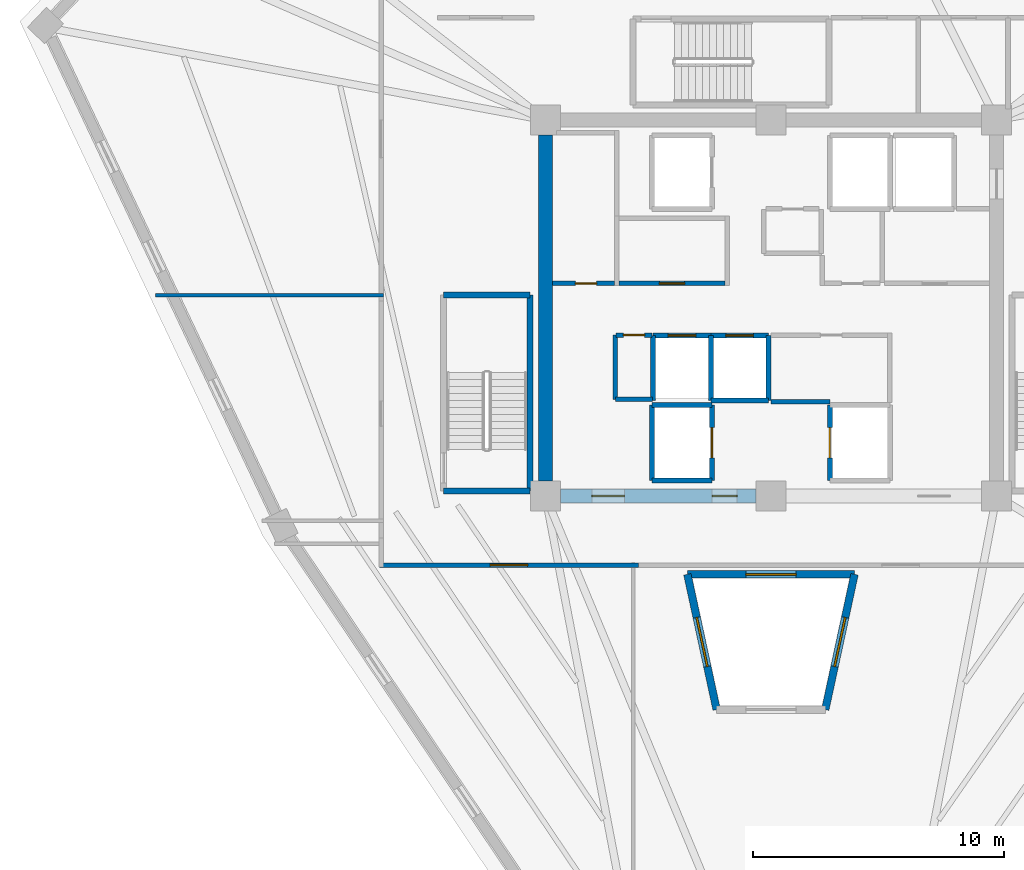
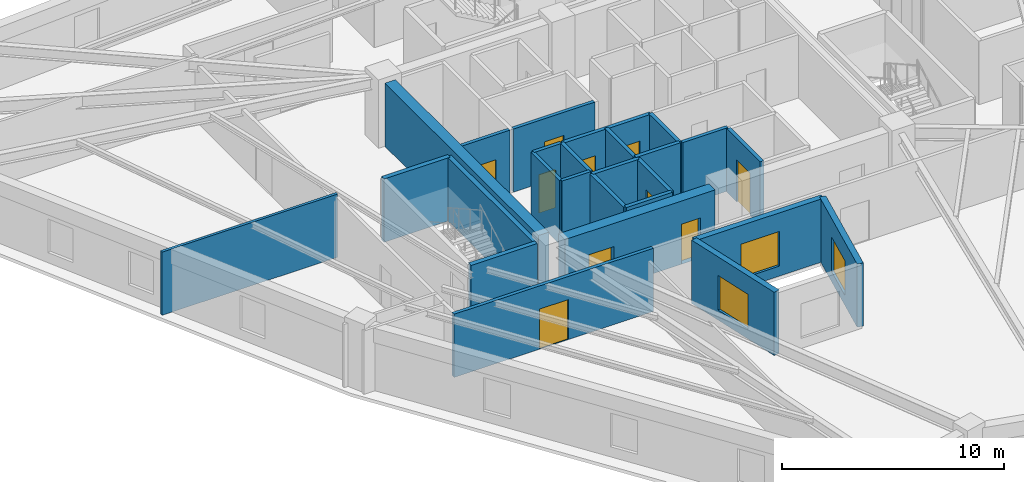
# One storey, part 3 of 8: 27 walls, 10 doors, 3 windows, 13 openings.
"""IFC4 building model written with IfcOpenShell, lengths in metres."""

import ifcopenshell
import ifcopenshell.guid

model = None  # the IFC model being written
_history = None  # IfcOwnerHistory: only IFC2X3 demands one
_inside = {}  # id of a spatial element -> (the spatial element, [elements in it])
_under = {}  # id of a project, library or spatial element -> (it, [spatial elements below it])
_declared = {}  # id of a project -> (the project, [libraries it declares])
_typed = {}  # id of a type object -> (the type object, [elements of that type])
_made_of = {}  # id of a material, layer set ... -> (it, [elements and type objects made of it])


def new_model(schema):
    """Start an empty IFC model of exactly this schema.

    Asked for "IFC4X3", IfcOpenShell would pick the latest addendum, in which some entities
    have other attributes; the version numbers below select the first issue.
    IFC2X3 requires an IfcOwnerHistory on every rooted entity: one is made here for all.
    """
    global model, _history
    if schema == "IFC4X3":
        model = ifcopenshell.file(schema_version=(4, 3, 0, 0))
    else:
        model = ifcopenshell.file(schema=schema)
    _inside.clear()
    _under.clear()
    _declared.clear()
    _typed.clear()
    _made_of.clear()
    _history = None
    if model.schema == "IFC2X3":
        org = make("IfcOrganization", Name="unknown")
        user = make(
            "IfcPersonAndOrganization",
            ThePerson=make("IfcPerson", FamilyName="unknown"),
            TheOrganization=org,
        )
        app = make(
            "IfcApplication",
            ApplicationDeveloper=org,
            Version="unknown",
            ApplicationFullName="unknown",
            ApplicationIdentifier="unknown",
        )
        _history = make(
            "IfcOwnerHistory",
            OwningUser=user,
            OwningApplication=app,
            ChangeAction="ADDED",
            CreationDate=0,
        )
    return model


def make(cls, **values):
    """One entity of the class cls with the attributes given. An attribute that is None is left unset."""
    return model.create_entity(
        cls, **{name: value for name, value in values.items() if value is not None}
    )


def rooted(cls, **values):
    """An entity with a GlobalId (a new one), such as an element, a storey or a relation."""
    return make(cls, GlobalId=ifcopenshell.guid.new(), OwnerHistory=_history, **values)


def si_unit(unit_type, name, prefix=None):
    """IfcSIUnit, for example si_unit("LENGTHUNIT", "METRE", prefix="MILLI")."""
    return make("IfcSIUnit", UnitType=unit_type, Prefix=prefix, Name=name)


def assignment(units):
    """IfcUnitAssignment: the units of a project."""
    return None if units is None else make("IfcUnitAssignment", Units=units)


def point(xyz):
    """IfcCartesianPoint."""
    return None if xyz is None else make("IfcCartesianPoint", Coordinates=xyz)


def direction(xyz):
    """IfcDirection."""
    return None if xyz is None else make("IfcDirection", DirectionRatios=xyz)


def frame(location, z_axis=None, x_axis=None):
    """IfcAxis2Placement3D, a coordinate frame: its origin and axes. An axis left out is left unset."""
    return make(
        "IfcAxis2Placement3D",
        Location=point(location),
        Axis=direction(z_axis),
        RefDirection=direction(x_axis),
    )


def frame_2d(location, x_axis=None):
    """IfcAxis2Placement2D, a coordinate frame in the plane: its origin and x axis."""
    return make(
        "IfcAxis2Placement2D", Location=point(location), RefDirection=direction(x_axis)
    )


def origin():
    """The frame at (0, 0, 0) with its axes left unset."""
    return frame((0.0, 0.0, 0.0))


def place(relative_to, where):
    """IfcLocalPlacement: puts the frame where relative to a parent placement (None: the world)."""
    return make(
        "IfcLocalPlacement", PlacementRelTo=relative_to, RelativePlacement=where
    )


def context(
    kind, dimensions, precision=None, world=None, true_north=None, identifier=None
):
    """IfcGeometricRepresentationContext, for example the 3D "Model" context."""
    return make(
        "IfcGeometricRepresentationContext",
        ContextIdentifier=identifier,
        ContextType=kind,
        CoordinateSpaceDimension=dimensions,
        Precision=precision,
        WorldCoordinateSystem=world,
        TrueNorth=true_north,
    )


def subcontext(parent, identifier, kind, view, scale=None):
    """IfcGeometricRepresentationSubContext, for example "Body" below "Model"."""
    return make(
        "IfcGeometricRepresentationSubContext",
        ContextIdentifier=identifier,
        ContextType=kind,
        ParentContext=parent,
        TargetScale=scale,
        TargetView=view,
    )


def project(units=None, contexts=None):
    """IfcProject with its units and contexts."""
    return rooted(
        "IfcProject",
        Name="project",
        RepresentationContexts=contexts,
        UnitsInContext=assignment(units),
    )


def spatial(cls, under=None, at=None, **own):
    """A site, building, storey or space (cls), placed at a placement, below another one or the project."""
    s = rooted(cls, ObjectPlacement=at, **own)
    if under is not None:
        _under.setdefault(under.id(), (under, []))[1].append(s)
    return s


def profile(cls, at=None, kind="AREA", **sizes):
    """A parametric profile (cls). Its sizes go by their IFC names, for example OverallWidth=200.0."""
    return make(cls, ProfileType=kind, Position=at, **sizes)


def rectangle(**sizes):
    """IfcRectangleProfileDef."""
    return profile("IfcRectangleProfileDef", **sizes)


def extrude(swept, where, along, depth):
    """IfcExtrudedAreaSolid: the profile swept, set in the frame where, extruded along a direction by depth."""
    return make(
        "IfcExtrudedAreaSolid",
        SweptArea=swept,
        Position=where,
        ExtrudedDirection=direction(along),
        Depth=depth,
    )


def shape(context_of_items, identifier, shape_type, items):
    """IfcShapeRepresentation: the items that make up one representation, for example the "Body"."""
    return make(
        "IfcShapeRepresentation",
        ContextOfItems=context_of_items,
        RepresentationIdentifier=identifier,
        RepresentationType=shape_type,
        Items=items,
    )


def source(mapping_origin, context_of_items, identifier, shape_type, items):
    """IfcRepresentationMap: a shape defined once, which mapped items show again and again."""
    return make(
        "IfcRepresentationMap",
        MappingOrigin=mapping_origin,
        MappedRepresentation=shape(context_of_items, identifier, shape_type, items),
    )


def transform(
    local_origin,
    x_axis=None,
    y_axis=None,
    z_axis=None,
    scale=None,
    scale2=None,
    scale3=None,
    uniform=True,
):
    """IfcCartesianTransformationOperator3D, or its non-uniform kind. x_axis, y_axis, z_axis: its Axis1, 2, 3."""
    if uniform:
        return make(
            "IfcCartesianTransformationOperator3D",
            Axis1=direction(x_axis),
            Axis2=direction(y_axis),
            LocalOrigin=point(local_origin),
            Scale=scale,
            Axis3=direction(z_axis),
        )
    return make(
        "IfcCartesianTransformationOperator3DnonUniform",
        Axis1=direction(x_axis),
        Axis2=direction(y_axis),
        LocalOrigin=point(local_origin),
        Scale=scale,
        Axis3=direction(z_axis),
        Scale2=scale2,
        Scale3=scale3,
    )


def mapped(mapping_source, mapping_target):
    """IfcMappedItem: shows the shape of a source again, moved by a transform."""
    return make(
        "IfcMappedItem", MappingSource=mapping_source, MappingTarget=mapping_target
    )


def material(Name=None, Category=None):
    """IfcMaterial."""
    return make("IfcMaterial", Name=Name, Category=Category)


def layer(
    of_material, thickness, ventilated=None, Name=None, Category=None, Priority=None
):
    """IfcMaterialLayer: one layer of a wall or slab, of a material (None: an air gap)."""
    return make(
        "IfcMaterialLayer",
        Material=of_material,
        LayerThickness=thickness,
        IsVentilated=ventilated,
        Name=Name,
        Category=Category,
        Priority=Priority,
    )


def layer_set(layers, Name=None):
    """IfcMaterialLayerSet."""
    return make("IfcMaterialLayerSet", MaterialLayers=layers, LayerSetName=Name)


def made_of(thing, what):
    """Note that an element or type object is made of a material, layer set ...; save() writes the relation."""
    if what is not None:
        _made_of.setdefault(what.id(), (what, []))[1].append(thing)
    return thing


def type_object(cls, material=None, **own):
    """A type object (cls), such as IfcWallType, which elements share."""
    return made_of(rooted(cls, **own), material)


def element(
    cls,
    number,
    at=None,
    inside=None,
    cuts=None,
    type_object=None,
    material=None,
    context=None,
    identifier="Body",
    shape_type=None,
    held_by="IfcProductDefinitionShape",
    body=None,
    shapes=None,
    **own,
):
    """One element of the class cls, such as IfcWall. Its Tag is "e" and its number.

    at: its placement. inside: the storey or other place that contains it. cuts: it is an
    opening in that element (IfcRelVoidsElement). A single representation is given by context,
    identifier, shape_type and body (its items); several are given by shapes. held_by: the class
    of the entity that holds the representations. save() writes the other relations.
    """
    e = rooted(cls, Tag="e%d" % number, ObjectPlacement=at, **own)
    if body is not None:
        shapes = [shape(context, identifier, shape_type, body)]
    if shapes is not None:
        e.Representation = make(held_by, Representations=shapes)
    if inside is not None:
        _inside.setdefault(inside.id(), (inside, []))[1].append(e)
    if cuts is not None:
        rooted(
            "IfcRelVoidsElement", RelatingBuildingElement=cuts, RelatedOpeningElement=e
        )
    if type_object is not None:
        _typed.setdefault(type_object.id(), (type_object, []))[1].append(e)
    return made_of(e, material)


def fill(opening, filler):
    """IfcRelFillsElement: the door or window that sits in an opening."""
    return rooted(
        "IfcRelFillsElement",
        RelatingOpeningElement=opening,
        RelatedBuildingElement=filler,
    )


def aggregate(whole, parts):
    """IfcRelAggregates: a whole, such as a stair, and the parts it consists of."""
    return rooted("IfcRelAggregates", RelatingObject=whole, RelatedObjects=parts)


def save(model, path):
    """Write the relations noted so far, then the file.

    IfcRelAggregates (storeys below a building ...), IfcRelContainedInSpatialStructure (elements
    in a storey), IfcRelDefinesByType, IfcRelAssociatesMaterial and IfcRelDeclares: one each for
    every whole, place, type object, material and project.
    """
    for whole, parts in _under.values():
        aggregate(whole, parts)
    for where, things in _inside.values():
        rooted(
            "IfcRelContainedInSpatialStructure",
            RelatedElements=things,
            RelatingStructure=where,
        )
    for kind, things in _typed.values():
        rooted("IfcRelDefinesByType", RelatedObjects=things, RelatingType=kind)
    for what, things in _made_of.values():
        rooted("IfcRelAssociatesMaterial", RelatedObjects=things, RelatingMaterial=what)
    for by, libraries in _declared.values():
        rooted("IfcRelDeclares", RelatingContext=by, RelatedDefinitions=libraries)
    model.write(path)


model = new_model("IFC4")

# Units and contexts
model_context = context("Model", 3, precision=1e-05, world=origin(), true_north=direction((0.0, 1.0)))
body_context = subcontext(model_context, "Body", "Model", "MODEL_VIEW")
ifc_project = project(units=[si_unit("LENGTHUNIT", "METRE"), si_unit("AREAUNIT", "SQUARE_METRE"), si_unit("VOLUMEUNIT", "CUBIC_METRE"), si_unit("PLANEANGLEUNIT", "RADIAN"), si_unit("MASSUNIT", "GRAM", prefix="KILO")], contexts=[model_context])

# Site, building, storey
site_placement = place(None, origin())
site = spatial("IfcSite", under=ifc_project, at=site_placement, CompositionType="ELEMENT")
building_placement = place(site_placement, origin())
building = spatial("IfcBuilding", under=site, at=building_placement, Name="Liaohun Quay Tower", CompositionType="ELEMENT")
storey_placement = place(building_placement, frame((0.0, 0.0, 347.25)))
storey = spatial("IfcBuildingStorey", under=building, at=storey_placement, Name="L90", CompositionType="ELEMENT", Elevation=347.25)

# Wall, opening, window
ifc_material_1 = material(Name="Concrete C50", Category="concrete")
ifc_layer_1 = layer(ifc_material_1, 0.300048828125, Name="Concrete C50", Category="concrete")
ifc_layer_set_1 = layer_set([ifc_layer_1], Name="Concrete C50")
wall_type_1 = type_object("IfcWallType", Name="WAL-ATR-300", PredefinedType="SOLIDWALL", material=ifc_layer_set_1)
wall_1_placement = place(storey_placement, frame((57.83203125, 37.970947265625, 0.0), z_axis=(0.0, 0.0, 1.0), x_axis=(-0.211433211418, 0.977392447848, 0.0)))
wall_1 = element("IfcWall", 1, at=wall_1_placement, inside=storey, type_object=wall_type_1, Name="L90 Atrium Fire Compartment Wall 1", PredefinedType="SOLIDWALL", context=body_context, shape_type="SweptSolid", body=[
    extrude(rectangle(XDim=5.524169921875, YDim=0.300048828125, at=frame_2d((2.76220703125, 0.0))), origin(), (0.0, 0.0, 1.0), 3.469970703125),
])
shared_shape_1 = source(origin(), body_context, "Body", "SweptSolid", [
    extrude(rectangle(XDim=2.0, YDim=1.89990234375, at=frame_2d((1.0, 0.949951171875))), frame((0.0, 0.159912109375, 0.0), z_axis=(0.0, -1.0, 0.0), x_axis=(1.0, 0.0, 0.0)), (0.0, 0.0, 1.0), 0.320068359375),
])
opening_1_placement = place(wall_1_placement, frame((1.761962890625, 0.0, 0.550048828125)))
opening_1 = element("IfcOpeningElement", 2, at=opening_1_placement, cuts=wall_1, Name="Opening W07", PredefinedType="OPENING", context=body_context, shape_type="MappedRepresentation", body=[
    mapped(shared_shape_1, transform((0.0, 0.0, 0.0), x_axis=(1.0, 0.0, 0.0), y_axis=(0.0, 1.0, 0.0), z_axis=(0.0, 0.0, 1.0), scale=1.0)),
])
ifc_material_2 = material(Name="Class A 180-min fire-resistant insulated glazing", Category="glass")
window_type = type_object("IfcWindowType", Name="WIN-ATR-FIR", PartitioningType="DOUBLE_PANEL_VERTICAL", PredefinedType="WINDOW", material=ifc_material_2)
shared_shape_2 = source(origin(), body_context, "Body", "SweptSolid", [
    extrude(rectangle(XDim=2.0, YDim=1.89990234375, at=frame_2d((1.0, 0.949951171875))), frame((0.0, 0.030029296875, 0.0), z_axis=(0.0, -1.0, 0.0), x_axis=(1.0, 0.0, 0.0)), (0.0, 0.0, 1.0), 0.06005859375),
])
window_1_placement = place(opening_1_placement, origin())
window_1 = element("IfcWindow", 3, at=window_1_placement, inside=storey, type_object=window_type, Name="L90 Atrium Fire-Resistant Glazing W07-1", OverallHeight=1.89990234375, OverallWidth=2.0, PartitioningType="DOUBLE_PANEL_VERTICAL", PredefinedType="WINDOW", context=body_context, shape_type="MappedRepresentation", body=[
    mapped(shared_shape_2, transform((0.0, 0.0, 0.0), x_axis=(1.0, 0.0, 0.0), y_axis=(0.0, 1.0, 0.0), z_axis=(0.0, 0.0, 1.0), scale=1.0)),
])
fill(opening_1, window_1)

wall_2_placement = place(storey_placement, frame((56.6640625, 43.3701171875, 0.0), z_axis=(0.0, 0.0, 1.0), x_axis=(1.0, 0.0, 0.0)))
wall_2 = element("IfcWall", 4, at=wall_2_placement, inside=storey, type_object=wall_type_1, Name="L90 Atrium Fire Compartment Wall 2", PredefinedType="SOLIDWALL", context=body_context, shape_type="SweptSolid", body=[
    extrude(rectangle(XDim=6.671875, YDim=0.300048828125, at=frame_2d((3.3359375, 0.0))), origin(), (0.0, 0.0, 1.0), 3.469970703125),
])
opening_2_placement = place(wall_2_placement, frame((2.3359375, 0.0, 0.550048828125)))
opening_2 = element("IfcOpeningElement", 5, at=opening_2_placement, cuts=wall_2, Name="Opening W07", PredefinedType="OPENING", context=body_context, shape_type="MappedRepresentation", body=[
    mapped(shared_shape_1, transform((0.0, 0.0, 0.0), x_axis=(1.0, 0.0, 0.0), y_axis=(0.0, 1.0, 0.0), z_axis=(0.0, 0.0, 1.0), scale=1.0)),
])
window_2_placement = place(opening_2_placement, origin())
window_2 = element("IfcWindow", 6, at=window_2_placement, inside=storey, type_object=window_type, Name="L90 Atrium Fire-Resistant Glazing W07-2", OverallHeight=1.89990234375, OverallWidth=2.0, PartitioningType="DOUBLE_PANEL_VERTICAL", PredefinedType="WINDOW", context=body_context, shape_type="MappedRepresentation", body=[
    mapped(shared_shape_2, transform((0.0, 0.0, 0.0), x_axis=(1.0, 0.0, 0.0), y_axis=(0.0, 1.0, 0.0), z_axis=(0.0, 0.0, 1.0), scale=1.0)),
])
fill(opening_2, window_2)

wall_3_placement = place(storey_placement, frame((63.3359375, 43.3701171875, 0.0), z_axis=(0.0, 0.0, 1.0), x_axis=(-0.211433211418, -0.977392447848, 0.0)))
wall_3 = element("IfcWall", 7, at=wall_3_placement, inside=storey, type_object=wall_type_1, Name="L90 Atrium Fire Compartment Wall 3", PredefinedType="SOLIDWALL", context=body_context, shape_type="SweptSolid", body=[
    extrude(rectangle(XDim=5.524169921875, YDim=0.300048828125, at=frame_2d((2.76220703125, 0.0))), origin(), (0.0, 0.0, 1.0), 3.469970703125),
])
opening_3_placement = place(wall_3_placement, frame((1.761962890625, 0.0, 0.550048828125)))
opening_3 = element("IfcOpeningElement", 8, at=opening_3_placement, cuts=wall_3, Name="Opening W07", PredefinedType="OPENING", context=body_context, shape_type="MappedRepresentation", body=[
    mapped(shared_shape_1, transform((0.0, 0.0, 0.0), x_axis=(1.0, 0.0, 0.0), y_axis=(0.0, 1.0, 0.0), z_axis=(0.0, 0.0, 1.0), scale=1.0)),
])
window_3_placement = place(opening_3_placement, origin())
window_3 = element("IfcWindow", 9, at=window_3_placement, inside=storey, type_object=window_type, Name="L90 Atrium Fire-Resistant Glazing W07-3", OverallHeight=1.89990234375, OverallWidth=2.0, PartitioningType="DOUBLE_PANEL_VERTICAL", PredefinedType="WINDOW", context=body_context, shape_type="MappedRepresentation", body=[
    mapped(shared_shape_2, transform((0.0, 0.0, 0.0), x_axis=(1.0, 0.0, 0.0), y_axis=(0.0, 1.0, 0.0), z_axis=(0.0, 0.0, 1.0), scale=1.0)),
])
fill(opening_3, window_3)

# Wall, openings, doors
ifc_layer_2 = layer(ifc_material_1, 0.550048828125, Name="Concrete C50", Category="concrete")
ifc_layer_set_2 = layer_set([ifc_layer_2], Name="Concrete C50")
wall_type_2 = type_object("IfcWallType", Name="WAL-COR-Z4", PredefinedType="SHEAR", material=ifc_layer_set_2)
wall_4_placement = place(storey_placement, frame((59.39990234375, 46.5, 0.0), z_axis=(0.0, 0.0, 1.0), x_axis=(-1.0, 0.0, 0.0)))
wall_4 = element("IfcWall", 10, at=wall_4_placement, inside=storey, type_object=wall_type_2, Name="L90 Central Core Shear Wall S-W", PredefinedType="SHEAR", context=body_context, shape_type="SweptSolid", body=[
    extrude(rectangle(XDim=7.7998046875, YDim=0.550048828125, at=frame_2d((3.89990234375, 0.0))), origin(), (0.0, 0.0, 1.0), 3.469970703125),
])
shared_shape_3 = source(origin(), body_context, "Body", "SweptSolid", [
    extrude(rectangle(XDim=1.300048828125, YDim=2.199951171875, at=frame_2d((0.64990234375, 1.10009765625))), frame((0.0, 0.284912109375, 0.0), z_axis=(0.0, -1.0, 0.0), x_axis=(1.0, 0.0, 0.0)), (0.0, 0.0, 1.0), 0.570068359375),
])
opening_4_placement = place(wall_4_placement, frame((5.25, 0.0, 0.0)))
opening_4 = element("IfcOpeningElement", 11, at=opening_4_placement, cuts=wall_4, Name="Opening FD1", PredefinedType="OPENING", context=body_context, shape_type="MappedRepresentation", body=[
    mapped(shared_shape_3, transform((0.0, 0.0, 0.0), x_axis=(1.0, 0.0, 0.0), y_axis=(0.0, 1.0, 0.0), z_axis=(0.0, 0.0, 1.0), scale=1.0)),
])
shared_shape_4 = source(origin(), body_context, "Body", "SweptSolid", [
    extrude(rectangle(XDim=1.0, YDim=2.199951171875, at=frame_2d((0.5, 1.10009765625))), frame((0.0, 0.284912109375, 0.0), z_axis=(0.0, -1.0, 0.0), x_axis=(1.0, 0.0, 0.0)), (0.0, 0.0, 1.0), 0.570068359375),
])
opening_5_placement = place(wall_4_placement, frame((0.75, 0.0, 0.0)))
opening_5 = element("IfcOpeningElement", 12, at=opening_5_placement, cuts=wall_4, Name="Opening FD2", PredefinedType="OPENING", context=body_context, shape_type="MappedRepresentation", body=[
    mapped(shared_shape_4, transform((0.0, 0.0, 0.0), x_axis=(1.0, 0.0, 0.0), y_axis=(0.0, 1.0, 0.0), z_axis=(0.0, 0.0, 1.0), scale=1.0)),
])
ifc_material_3 = material(Name="Galvanised steel smokeproof fire door", Category="steel")
door_type_1 = type_object("IfcDoorType", Name="DOR-FFL-1300", OperationType="NOTDEFINED", PredefinedType="DOOR", material=ifc_material_3)
shared_shape_5 = source(origin(), body_context, "Body", "SweptSolid", [
    extrude(rectangle(XDim=1.300048828125, YDim=2.199951171875, at=frame_2d((0.64990234375, 1.10009765625))), frame((0.0, 0.02490234375, 0.0), z_axis=(0.0, -1.0, 0.0), x_axis=(1.0, 0.0, 0.0)), (0.0, 0.0, 1.0), 0.050048828125),
])
door_1_placement = place(opening_4_placement, origin())
door_1 = element("IfcDoor", 13, at=door_1_placement, inside=storey, type_object=door_type_1, Name="L90 West Core Lift Lobby Smokeproof Door", OperationType="SINGLE_SWING_RIGHT", OverallHeight=2.199951171875, OverallWidth=1.300048828125, PredefinedType="DOOR", context=body_context, shape_type="MappedRepresentation", body=[
    mapped(shared_shape_5, transform((0.0, 0.0, 0.0), x_axis=(1.0, 0.0, 0.0), y_axis=(0.0, 1.0, 0.0), z_axis=(0.0, 0.0, 1.0), scale=1.0)),
])
fill(opening_4, door_1)
ifc_material_4 = material(Name="Galvanised steel smokeproof lobby fire door", Category="steel")
door_type_2 = type_object("IfcDoorType", Name="DOR-FFL-1000", OperationType="NOTDEFINED", PredefinedType="DOOR", material=ifc_material_4)
shared_shape_6 = source(origin(), body_context, "Body", "SweptSolid", [
    extrude(rectangle(XDim=1.0, YDim=2.199951171875, at=frame_2d((0.5, 1.10009765625))), frame((0.0, 0.02490234375, 0.0), z_axis=(0.0, -1.0, 0.0), x_axis=(1.0, 0.0, 0.0)), (0.0, 0.0, 1.0), 0.050048828125),
])
door_2_placement = place(opening_5_placement, origin())
door_2 = element("IfcDoor", 14, at=door_2_placement, inside=storey, type_object=door_type_2, Name="L90 South Firefighting Lobby Smokeproof Door", OperationType="SINGLE_SWING_LEFT", OverallHeight=2.199951171875, OverallWidth=1.0, PredefinedType="DOOR", context=body_context, shape_type="MappedRepresentation", body=[
    mapped(shared_shape_6, transform((0.0, 0.0, 0.0), x_axis=(1.0, 0.0, 0.0), y_axis=(0.0, 1.0, 0.0), z_axis=(0.0, 0.0, 1.0), scale=1.0)),
])
fill(opening_5, door_2)

# Wall
wall_5_placement = place(storey_placement, frame((51.0, 47.10009765625, 0.0), z_axis=(0.0, 0.0, 1.0), x_axis=(0.0, 1.0, 0.0)))
element("IfcWall", 15, at=wall_5_placement, inside=storey, type_object=wall_type_2, Name="L90 Central Core Shear Wall W", PredefinedType="SHEAR", context=body_context, shape_type="SweptSolid", body=[
    extrude(rectangle(XDim=13.7998046875, YDim=0.550048828125, at=frame_2d((6.89990234375, 0.0))), origin(), (0.0, 0.0, 1.0), 3.469970703125),
])

# Wall, opening, door
ifc_material_5 = material(Name="Autoclaved aerated concrete blockwork", Category="masonry")
ifc_layer_3 = layer(ifc_material_5, 0.179931640625, Name="Autoclaved aerated concrete blockwork", Category="masonry")
ifc_layer_set_3 = layer_set([ifc_layer_3], Name="Autoclaved aerated concrete blockwork")
wall_type_3 = type_object("IfcWallType", Name="WAL-PRT-COR", PredefinedType="PARTITIONING", material=ifc_layer_set_3)
wall_6_placement = place(storey_placement, frame((53.93994140625, 54.97998046875, 0.0), z_axis=(0.0, 0.0, 1.0), x_axis=(1.0, 0.0, 0.0)))
wall_6 = element("IfcWall", 16, at=wall_6_placement, inside=storey, type_object=wall_type_3, Name="L90 Interior Partition Wall 002", PredefinedType="PARTITIONING", context=body_context, shape_type="SweptSolid", body=[
    extrude(rectangle(XDim=4.219970703125, YDim=0.179931640625, at=frame_2d((2.10986328125, 0.0))), origin(), (0.0, 0.0, 1.0), 3.469970703125),
])
shared_shape_7 = source(origin(), body_context, "Body", "SweptSolid", [
    extrude(rectangle(XDim=1.0, YDim=2.199951171875, at=frame_2d((0.5, 1.10009765625))), frame((0.0, 0.099853515625, 0.0), z_axis=(0.0, -1.0, 0.0), x_axis=(1.0, 0.0, 0.0)), (0.0, 0.0, 1.0), 0.199951171875),
])
opening_6_placement = place(wall_6_placement, frame((1.610107421875, 0.0, 0.0)))
opening_6 = element("IfcOpeningElement", 17, at=opening_6_placement, cuts=wall_6, Name="Opening OD1", PredefinedType="OPENING", context=body_context, shape_type="MappedRepresentation", body=[
    mapped(shared_shape_7, transform((0.0, 0.0, 0.0), x_axis=(1.0, 0.0, 0.0), y_axis=(0.0, 1.0, 0.0), z_axis=(0.0, 0.0, 1.0), scale=1.0)),
])
ifc_material_6 = material(Name="Solid-core oak veneer timber leaf in steel frame", Category="steel")
door_type_3 = type_object("IfcDoorType", Name="DOR-OFF-1000", OperationType="NOTDEFINED", PredefinedType="DOOR", material=ifc_material_6)
door_3_placement = place(opening_6_placement, origin())
door_3 = element("IfcDoor", 18, at=door_3_placement, inside=storey, type_object=door_type_3, Name="L90 Core Staff Pantry and Tea Room Door", OperationType="SINGLE_SWING_LEFT", OverallHeight=2.199951171875, OverallWidth=1.0, PredefinedType="DOOR", context=body_context, shape_type="MappedRepresentation", body=[
    mapped(shared_shape_6, transform((0.0, 0.0, 0.0), x_axis=(1.0, 0.0, 0.0), y_axis=(0.0, 1.0, 0.0), z_axis=(0.0, 0.0, 1.0), scale=1.0)),
])
fill(opening_6, door_3)

wall_7_placement = place(storey_placement, frame((51.27490234375, 54.97998046875, 0.0), z_axis=(0.0, 0.0, 1.0), x_axis=(1.0, 0.0, 0.0)))
wall_7 = element("IfcWall", 19, at=wall_7_placement, inside=storey, type_object=wall_type_3, Name="L90 Interior Partition Wall 003", PredefinedType="PARTITIONING", context=body_context, shape_type="SweptSolid", body=[
    extrude(rectangle(XDim=2.485107421875, YDim=0.179931640625, at=frame_2d((1.24267578125, 0.0))), origin(), (0.0, 0.0, 1.0), 3.469970703125),
])
shared_shape_8 = source(origin(), body_context, "Body", "SweptSolid", [
    extrude(rectangle(XDim=0.85009765625, YDim=2.10009765625, at=frame_2d((0.425048828125, 1.050048828125))), frame((0.0, 0.099853515625, 0.0), z_axis=(0.0, -1.0, 0.0), x_axis=(1.0, 0.0, 0.0)), (0.0, 0.0, 1.0), 0.199951171875),
])
opening_7_placement = place(wall_7_placement, frame((0.9150390625, 0.0, 0.0)))
opening_7 = element("IfcOpeningElement", 20, at=opening_7_placement, cuts=wall_7, Name="Opening AD1", PredefinedType="OPENING", context=body_context, shape_type="MappedRepresentation", body=[
    mapped(shared_shape_8, transform((0.0, 0.0, 0.0), x_axis=(1.0, 0.0, 0.0), y_axis=(0.0, 1.0, 0.0), z_axis=(0.0, 0.0, 1.0), scale=1.0)),
])
ifc_material_7 = material(Name="Steel riser inspection fire door", Category="steel")
door_type_4 = type_object("IfcDoorType", Name="DOR-SHF-850", OperationType="NOTDEFINED", PredefinedType="DOOR", material=ifc_material_7)
shared_shape_9 = source(origin(), body_context, "Body", "SweptSolid", [
    extrude(rectangle(XDim=0.85009765625, YDim=2.10009765625, at=frame_2d((0.425048828125, 1.050048828125))), frame((0.0, 0.02490234375, 0.0), z_axis=(0.0, -1.0, 0.0), x_axis=(1.0, 0.0, 0.0)), (0.0, 0.0, 1.0), 0.050048828125),
])
door_4_placement = place(opening_7_placement, origin())
door_4 = element("IfcDoor", 21, at=door_4_placement, inside=storey, type_object=door_type_4, Name="L90 Core High-Zone Archive and Riser Store Door", OperationType="SINGLE_SWING_RIGHT", OverallHeight=2.10009765625, OverallWidth=0.85009765625, PredefinedType="DOOR", context=body_context, shape_type="MappedRepresentation", body=[
    mapped(shared_shape_9, transform((0.0, 0.0, 0.0), x_axis=(1.0, 0.0, 0.0), y_axis=(0.0, 1.0, 0.0), z_axis=(0.0, 0.0, 1.0), scale=1.0)),
])
fill(opening_7, door_4)

wall_8_placement = place(storey_placement, frame((53.820068359375, 52.919921875, 0.0), z_axis=(0.0, 0.0, 1.0), x_axis=(1.0, 0.0, 0.0)))
wall_8 = element("IfcWall", 22, at=wall_8_placement, inside=storey, type_object=wall_type_3, Name="L90 Interior Partition Wall 007", PredefinedType="PARTITIONING", context=body_context, shape_type="SweptSolid", body=[
    extrude(rectangle(XDim=1.429931640625, YDim=0.179931640625, at=frame_2d((0.71484375, 0.0))), origin(), (0.0, 0.0, 1.0), 3.469970703125),
])
opening_8_placement = place(wall_8_placement, frame((0.2900390625, 0.0, 0.0)))
opening_8 = element("IfcOpeningElement", 23, at=opening_8_placement, cuts=wall_8, Name="Opening AD1", PredefinedType="OPENING", context=body_context, shape_type="MappedRepresentation", body=[
    mapped(shared_shape_8, transform((0.0, 0.0, 0.0), x_axis=(1.0, 0.0, 0.0), y_axis=(0.0, 1.0, 0.0), z_axis=(0.0, 0.0, 1.0), scale=1.0)),
])
door_5_placement = place(opening_8_placement, origin())
door_5 = element("IfcDoor", 24, at=door_5_placement, inside=storey, type_object=door_type_4, Name="L90 Mechanical Smoke Duct Room Door", OperationType="SINGLE_SWING_RIGHT", OverallHeight=2.10009765625, OverallWidth=0.85009765625, PredefinedType="DOOR", context=body_context, shape_type="MappedRepresentation", body=[
    mapped(shared_shape_9, transform((0.0, 0.0, 0.0), x_axis=(1.0, 0.0, 0.0), y_axis=(0.0, 1.0, 0.0), z_axis=(0.0, 0.0, 1.0), scale=1.0)),
])
fill(opening_8, door_5)

wall_9_placement = place(storey_placement, frame((54.715087890625, 43.739990234375, 0.0), z_axis=(0.0, 0.0, 1.0), x_axis=(-1.0, 0.0, 0.0)))
wall_9 = element("IfcWall", 25, at=wall_9_placement, inside=storey, type_object=wall_type_3, Name="L90 Interior Partition Wall 021", PredefinedType="PARTITIONING", context=body_context, shape_type="SweptSolid", body=[
    extrude(rectangle(XDim=10.344970703125, YDim=0.179931640625, at=frame_2d((5.17236328125, 0.0))), origin(), (0.0, 0.0, 1.0), 3.469970703125),
])
shared_shape_10 = source(origin(), body_context, "Body", "SweptSolid", [
    extrude(rectangle(XDim=1.5, YDim=2.199951171875, at=frame_2d((0.75, 1.10009765625))), frame((0.0, 0.099853515625, 0.0), z_axis=(0.0, -1.0, 0.0), x_axis=(1.0, 0.0, 0.0)), (0.0, 0.0, 1.0), 0.199951171875),
])
opening_9_placement = place(wall_9_placement, frame((4.423095703125, 0.0, 0.0)))
opening_9 = element("IfcOpeningElement", 26, at=opening_9_placement, cuts=wall_9, Name="Opening OD2", PredefinedType="OPENING", context=body_context, shape_type="MappedRepresentation", body=[
    mapped(shared_shape_10, transform((0.0, 0.0, 0.0), x_axis=(1.0, 0.0, 0.0), y_axis=(0.0, 1.0, 0.0), z_axis=(0.0, 0.0, 1.0), scale=1.0)),
])
ifc_material_8 = material(Name="Acoustic oak veneer double door")
door_type_5 = type_object("IfcDoorType", Name="DOR-OFF-1500", OperationType="DOUBLE_DOOR_SINGLE_SWING", PredefinedType="DOOR", material=ifc_material_8)
shared_shape_11 = source(origin(), body_context, "Body", "SweptSolid", [
    extrude(rectangle(XDim=1.5, YDim=2.199951171875, at=frame_2d((0.75, 1.10009765625))), frame((0.0, 0.02490234375, 0.0), z_axis=(0.0, -1.0, 0.0), x_axis=(1.0, 0.0, 0.0)), (0.0, 0.0, 1.0), 0.050048828125),
])
door_6_placement = place(opening_9_placement, origin())
door_6 = element("IfcDoor", 27, at=door_6_placement, inside=storey, type_object=door_type_5, Name="L90 Client Collaboration Lounge 07 Door", OperationType="DOUBLE_DOOR_SINGLE_SWING", OverallHeight=2.199951171875, OverallWidth=1.5, PredefinedType="DOOR", context=body_context, shape_type="MappedRepresentation", body=[
    mapped(shared_shape_11, transform((0.0, 0.0, 0.0), x_axis=(1.0, 0.0, 0.0), y_axis=(0.0, 1.0, 0.0), z_axis=(0.0, 0.0, 1.0), scale=1.0)),
])
fill(opening_9, door_6)

# Walls
wall_10_placement = place(storey_placement, frame((53.7900390625, 50.35009765625, 0.0), z_axis=(0.0, 0.0, 1.0), x_axis=(0.0, 1.0, 0.0)))
element("IfcWall", 28, at=wall_10_placement, inside=storey, type_object=wall_type_3, Name="L90 Interior Partition Wall 030", PredefinedType="PARTITIONING", context=body_context, shape_type="SweptSolid", body=[
    extrude(rectangle(XDim=2.56982421875, YDim=0.179931640625, at=frame_2d((1.284912109375, 0.0))), origin(), (0.0, 0.0, 1.0), 3.469970703125),
])
wall_11_placement = place(storey_placement, frame((53.7900390625, 50.35009765625, 0.0), z_axis=(0.0, 0.0, 1.0), x_axis=(1.0, 0.0, 0.0)))
element("IfcWall", 29, at=wall_11_placement, inside=storey, type_object=wall_type_3, Name="L90 Interior Partition Wall 031", PredefinedType="PARTITIONING", context=body_context, shape_type="SweptSolid", body=[
    extrude(rectangle(XDim=1.489990234375, YDim=0.179931640625, at=frame_2d((0.7451171875, 0.0))), origin(), (0.0, 0.0, 1.0), 3.469970703125),
])
wall_12_placement = place(storey_placement, frame((60.0, 50.25, 0.0), z_axis=(0.0, 0.0, 1.0), x_axis=(1.0, 0.0, 0.0)))
element("IfcWall", 30, at=wall_12_placement, inside=storey, type_object=wall_type_3, Name="L90 Interior Partition Wall 059", PredefinedType="PARTITIONING", context=body_context, shape_type="SweptSolid", body=[
    extrude(rectangle(XDim=2.35009765625, YDim=0.179931640625, at=frame_2d((1.175048828125, 0.0))), origin(), (0.0, 0.0, 1.0), 3.469970703125),
])
ifc_material_9 = material(Name="Gypsum board on twin steel studs", Category="steel")
ifc_layer_4 = layer(ifc_material_9, 0.139892578125, Name="Gypsum board on twin steel studs", Category="steel")
ifc_layer_set_4 = layer_set([ifc_layer_4], Name="Gypsum board on twin steel studs")
wall_type_4 = type_object("IfcWallType", Name="WAL-PRT-OFF", PredefinedType="PARTITIONING", material=ifc_layer_set_4)
wall_13_placement = place(storey_placement, frame((44.5400390625, 54.5, 0.0), z_axis=(0.0, 0.0, 1.0), x_axis=(-1.0, 0.0, 0.0)))
element("IfcWall", 31, at=wall_13_placement, inside=storey, type_object=wall_type_4, Name="L90 Interior Partition Wall 050", PredefinedType="PARTITIONING", context=body_context, shape_type="SweptSolid", body=[
    extrude(rectangle(XDim=9.10693359375, YDim=0.139892578125, at=frame_2d((4.553466796875, 0.0))), origin(), (0.0, 0.0, 1.0), 3.469970703125),
])
ifc_layer_5 = layer(ifc_material_1, 0.239990234375, Name="Concrete C50", Category="concrete")
ifc_layer_set_5 = layer_set([ifc_layer_5], Name="Concrete C50")
wall_type_5 = type_object("IfcWallType", Name="WAL-SHF-200", PredefinedType="SOLIDWALL", material=ifc_layer_set_5)
wall_14_placement = place(storey_placement, frame((46.93994140625, 46.699951171875, 0.0), z_axis=(0.0, 0.0, 1.0), x_axis=(1.0, 0.0, 0.0)))
element("IfcWall", 32, at=wall_14_placement, inside=storey, type_object=wall_type_5, Name="L90 Stairwell ST-1 Structural Core Wall S", PredefinedType="SOLIDWALL", context=body_context, shape_type="SweptSolid", body=[
    extrude(rectangle(XDim=3.43994140625, YDim=0.239990234375, at=frame_2d((1.719970703125, 0.0))), origin(), (0.0, 0.0, 1.0), 3.469970703125),
])
wall_15_placement = place(storey_placement, frame((50.3798828125, 46.699951171875, 0.0), z_axis=(0.0, 0.0, 1.0), x_axis=(0.0, 1.0, 0.0)))
element("IfcWall", 33, at=wall_15_placement, inside=storey, type_object=wall_type_5, Name="L90 Stairwell ST-1 Structural Core Wall E", PredefinedType="SOLIDWALL", context=body_context, shape_type="SweptSolid", body=[
    extrude(rectangle(XDim=7.820068359375, YDim=0.239990234375, at=frame_2d((3.91015625, 0.0))), origin(), (0.0, 0.0, 1.0), 3.469970703125),
])
wall_16_placement = place(storey_placement, frame((50.3798828125, 54.52001953125, 0.0), z_axis=(0.0, 0.0, 1.0), x_axis=(-1.0, 0.0, 0.0)))
element("IfcWall", 34, at=wall_16_placement, inside=storey, type_object=wall_type_5, Name="L90 Stairwell ST-1 Structural Core Wall N", PredefinedType="SOLIDWALL", context=body_context, shape_type="SweptSolid", body=[
    extrude(rectangle(XDim=3.43994140625, YDim=0.239990234375, at=frame_2d((1.719970703125, 0.0))), origin(), (0.0, 0.0, 1.0), 3.469970703125),
])
wall_17_placement = place(storey_placement, frame((55.25, 47.1201171875, 0.0), z_axis=(0.0, 0.0, 1.0), x_axis=(1.0, 0.0, 0.0)))
element("IfcWall", 35, at=wall_17_placement, inside=storey, type_object=wall_type_5, Name="L90 Lift FF-01 Hoistway Wall S", PredefinedType="SOLIDWALL", context=body_context, shape_type="SweptSolid", body=[
    extrude(rectangle(XDim=2.39990234375, YDim=0.199951171875, at=frame_2d((1.199951171875, 0.0))), origin(), (0.0, 0.0, 1.0), 3.469970703125),
])

# Wall, opening, door
wall_18_placement = place(storey_placement, frame((57.64990234375, 47.1201171875, 0.0), z_axis=(0.0, 0.0, 1.0), x_axis=(0.0, 1.0, 0.0)))
wall_18 = element("IfcWall", 36, at=wall_18_placement, inside=storey, type_object=wall_type_5, Name="L90 Lift FF-01 Hoistway Wall E", PredefinedType="SOLIDWALL", context=body_context, shape_type="SweptSolid", body=[
    extrude(rectangle(XDim=3.0, YDim=0.199951171875, at=frame_2d((1.5, 0.0))), origin(), (0.0, 0.0, 1.0), 3.469970703125),
])
shared_shape_12 = source(origin(), body_context, "Body", "SweptSolid", [
    extrude(rectangle(XDim=1.199951171875, YDim=2.300048828125, at=frame_2d((0.60009765625, 1.14990234375))), frame((0.0, 0.10986328125, 0.0), z_axis=(0.0, -1.0, 0.0), x_axis=(1.0, 0.0, 0.0)), (0.0, 0.0, 1.0), 0.219970703125),
])
opening_10_placement = place(wall_18_placement, frame((0.89990234375, 0.0, 0.0)))
opening_10 = element("IfcOpeningElement", 37, at=opening_10_placement, cuts=wall_18, Name="Opening LD2", PredefinedType="OPENING", context=body_context, shape_type="MappedRepresentation", body=[
    mapped(shared_shape_12, transform((0.0, 0.0, 0.0), x_axis=(1.0, 0.0, 0.0), y_axis=(0.0, 1.0, 0.0), z_axis=(0.0, 0.0, 1.0), scale=1.0)),
])
ifc_material_10 = material(Name="Brushed stainless steel stretcher landing door", Category="steel")
door_type_6 = type_object("IfcDoorType", Name="DOR-LFT-1200", OperationType="SLIDING_TO_LEFT", PredefinedType="DOOR", material=ifc_material_10)
shared_shape_13 = source(origin(), body_context, "Body", "SweptSolid", [
    extrude(rectangle(XDim=1.199951171875, YDim=2.300048828125, at=frame_2d((0.60009765625, 1.14990234375))), frame((0.0, 0.02490234375, 0.0), z_axis=(0.0, -1.0, 0.0), x_axis=(1.0, 0.0, 0.0)), (0.0, 0.0, 1.0), 0.050048828125),
])
door_7_placement = place(opening_10_placement, origin())
door_7 = element("IfcDoor", 38, at=door_7_placement, inside=storey, type_object=door_type_6, Name="L90 Lift FF-01 Sliding Landing Door", OperationType="SLIDING_TO_LEFT", OverallHeight=2.300048828125, OverallWidth=1.199951171875, PredefinedType="DOOR", context=body_context, shape_type="MappedRepresentation", body=[
    mapped(shared_shape_13, transform((0.0, 0.0, 0.0), x_axis=(1.0, 0.0, 0.0), y_axis=(0.0, 1.0, 0.0), z_axis=(0.0, 0.0, 1.0), scale=1.0)),
])
fill(opening_10, door_7)

# Walls
wall_19_placement = place(storey_placement, frame((57.64990234375, 50.1201171875, 0.0), z_axis=(0.0, 0.0, 1.0), x_axis=(-1.0, 0.0, 0.0)))
element("IfcWall", 39, at=wall_19_placement, inside=storey, type_object=wall_type_5, Name="L90 Lift FF-01 Hoistway Wall N", PredefinedType="SOLIDWALL", context=body_context, shape_type="SweptSolid", body=[
    extrude(rectangle(XDim=2.39990234375, YDim=0.199951171875, at=frame_2d((1.199951171875, 0.0))), origin(), (0.0, 0.0, 1.0), 3.469970703125),
])
wall_20_placement = place(storey_placement, frame((55.25, 50.1201171875, 0.0), z_axis=(0.0, 0.0, 1.0), x_axis=(0.0, -1.0, 0.0)))
element("IfcWall", 40, at=wall_20_placement, inside=storey, type_object=wall_type_5, Name="L90 Lift FF-01 Hoistway Wall W", PredefinedType="SOLIDWALL", context=body_context, shape_type="SweptSolid", body=[
    extrude(rectangle(XDim=3.0, YDim=0.199951171875, at=frame_2d((1.5, 0.0))), origin(), (0.0, 0.0, 1.0), 3.469970703125),
])

# Wall, opening, door
wall_21_placement = place(storey_placement, frame((62.35009765625, 50.1201171875, 0.0), z_axis=(0.0, 0.0, 1.0), x_axis=(0.0, -1.0, 0.0)))
wall_21 = element("IfcWall", 41, at=wall_21_placement, inside=storey, type_object=wall_type_5, Name="L90 Lift FF-02 Hoistway Wall W", PredefinedType="SOLIDWALL", context=body_context, shape_type="SweptSolid", body=[
    extrude(rectangle(XDim=3.0, YDim=0.199951171875, at=frame_2d((1.5, 0.0))), origin(), (0.0, 0.0, 1.0), 3.469970703125),
])
opening_11_placement = place(wall_21_placement, frame((0.89990234375, 0.0, 0.0)))
opening_11 = element("IfcOpeningElement", 42, at=opening_11_placement, cuts=wall_21, Name="Opening LD2", PredefinedType="OPENING", context=body_context, shape_type="MappedRepresentation", body=[
    mapped(shared_shape_12, transform((0.0, 0.0, 0.0), x_axis=(1.0, 0.0, 0.0), y_axis=(0.0, 1.0, 0.0), z_axis=(0.0, 0.0, 1.0), scale=1.0)),
])
door_8_placement = place(opening_11_placement, origin())
door_8 = element("IfcDoor", 43, at=door_8_placement, inside=storey, type_object=door_type_6, Name="L90 Lift FF-02 Sliding Landing Door", OperationType="SLIDING_TO_LEFT", OverallHeight=2.300048828125, OverallWidth=1.199951171875, PredefinedType="DOOR", context=body_context, shape_type="MappedRepresentation", body=[
    mapped(shared_shape_13, transform((0.0, 0.0, 0.0), x_axis=(1.0, 0.0, 0.0), y_axis=(0.0, 1.0, 0.0), z_axis=(0.0, 0.0, 1.0), scale=1.0)),
])
fill(opening_11, door_8)

# Wall
wall_22_placement = place(storey_placement, frame((57.60009765625, 50.300048828125, 0.0), z_axis=(0.0, 0.0, 1.0), x_axis=(0.0, 1.0, 0.0)))
element("IfcWall", 44, at=wall_22_placement, inside=storey, type_object=wall_type_5, Name="L90 Lift PL-4A Hoistway Wall E", PredefinedType="SOLIDWALL", context=body_context, shape_type="SweptSolid", body=[
    extrude(rectangle(XDim=2.599853515625, YDim=0.199951171875, at=frame_2d((1.2998046875, 0.0))), origin(), (0.0, 0.0, 1.0), 3.469970703125),
])

# Wall, opening, door
wall_23_placement = place(storey_placement, frame((57.60009765625, 52.89990234375, 0.0), z_axis=(0.0, 0.0, 1.0), x_axis=(-1.0, 0.0, 0.0)))
wall_23 = element("IfcWall", 45, at=wall_23_placement, inside=storey, type_object=wall_type_5, Name="L90 Lift PL-4A Hoistway Wall N", PredefinedType="SOLIDWALL", context=body_context, shape_type="SweptSolid", body=[
    extrude(rectangle(XDim=2.300048828125, YDim=0.199951171875, at=frame_2d((1.14990234375, 0.0))), origin(), (0.0, 0.0, 1.0), 3.469970703125),
])
shared_shape_14 = source(origin(), body_context, "Body", "SweptSolid", [
    extrude(rectangle(XDim=1.10009765625, YDim=2.199951171875, at=frame_2d((0.550048828125, 1.10009765625))), frame((0.0, 0.10986328125, 0.0), z_axis=(0.0, -1.0, 0.0), x_axis=(1.0, 0.0, 0.0)), (0.0, 0.0, 1.0), 0.219970703125),
])
opening_12_placement = place(wall_23_placement, frame((0.60009765625, 0.0, 0.0)))
opening_12 = element("IfcOpeningElement", 46, at=opening_12_placement, cuts=wall_23, Name="Opening LD1", PredefinedType="OPENING", context=body_context, shape_type="MappedRepresentation", body=[
    mapped(shared_shape_14, transform((0.0, 0.0, 0.0), x_axis=(1.0, 0.0, 0.0), y_axis=(0.0, 1.0, 0.0), z_axis=(0.0, 0.0, 1.0), scale=1.0)),
])
ifc_material_11 = material(Name="Brushed stainless steel landing door", Category="steel")
door_type_7 = type_object("IfcDoorType", Name="DOR-LFT-1100", OperationType="SLIDING_TO_LEFT", PredefinedType="DOOR", material=ifc_material_11)
shared_shape_15 = source(origin(), body_context, "Body", "SweptSolid", [
    extrude(rectangle(XDim=1.10009765625, YDim=2.199951171875, at=frame_2d((0.550048828125, 1.10009765625))), frame((0.0, 0.02490234375, 0.0), z_axis=(0.0, -1.0, 0.0), x_axis=(1.0, 0.0, 0.0)), (0.0, 0.0, 1.0), 0.050048828125),
])
door_9_placement = place(opening_12_placement, origin())
door_9 = element("IfcDoor", 47, at=door_9_placement, inside=storey, type_object=door_type_7, Name="L90 Lift PL-4A Sliding Landing Door", OperationType="SLIDING_TO_LEFT", OverallHeight=2.199951171875, OverallWidth=1.10009765625, PredefinedType="DOOR", context=body_context, shape_type="MappedRepresentation", body=[
    mapped(shared_shape_15, transform((0.0, 0.0, 0.0), x_axis=(1.0, 0.0, 0.0), y_axis=(0.0, 1.0, 0.0), z_axis=(0.0, 0.0, 1.0), scale=1.0)),
])
fill(opening_12, door_9)

# Walls
wall_24_placement = place(storey_placement, frame((55.300048828125, 52.89990234375, 0.0), z_axis=(0.0, 0.0, 1.0), x_axis=(0.0, -1.0, 0.0)))
element("IfcWall", 48, at=wall_24_placement, inside=storey, type_object=wall_type_5, Name="L90 Lift PL-4A Hoistway Wall W", PredefinedType="SOLIDWALL", context=body_context, shape_type="SweptSolid", body=[
    extrude(rectangle(XDim=2.599853515625, YDim=0.199951171875, at=frame_2d((1.2998046875, 0.0))), origin(), (0.0, 0.0, 1.0), 3.469970703125),
])
wall_25_placement = place(storey_placement, frame((57.60009765625, 50.300048828125, 0.0), z_axis=(0.0, 0.0, 1.0), x_axis=(1.0, 0.0, 0.0)))
element("IfcWall", 49, at=wall_25_placement, inside=storey, type_object=wall_type_5, Name="L90 Lift PL-4B Hoistway Wall S", PredefinedType="SOLIDWALL", context=body_context, shape_type="SweptSolid", body=[
    extrude(rectangle(XDim=2.2998046875, YDim=0.199951171875, at=frame_2d((1.14990234375, 0.0))), origin(), (0.0, 0.0, 1.0), 3.469970703125),
])
wall_26_placement = place(storey_placement, frame((59.89990234375, 50.300048828125, 0.0), z_axis=(0.0, 0.0, 1.0), x_axis=(0.0, 1.0, 0.0)))
element("IfcWall", 50, at=wall_26_placement, inside=storey, type_object=wall_type_5, Name="L90 Lift PL-4B Hoistway Wall E", PredefinedType="SOLIDWALL", context=body_context, shape_type="SweptSolid", body=[
    extrude(rectangle(XDim=2.599853515625, YDim=0.199951171875, at=frame_2d((1.2998046875, 0.0))), origin(), (0.0, 0.0, 1.0), 3.469970703125),
])

# Wall, opening, door
wall_27_placement = place(storey_placement, frame((59.89990234375, 52.89990234375, 0.0), z_axis=(0.0, 0.0, 1.0), x_axis=(-1.0, 0.0, 0.0)))
wall_27 = element("IfcWall", 51, at=wall_27_placement, inside=storey, type_object=wall_type_5, Name="L90 Lift PL-4B Hoistway Wall N", PredefinedType="SOLIDWALL", context=body_context, shape_type="SweptSolid", body=[
    extrude(rectangle(XDim=2.2998046875, YDim=0.199951171875, at=frame_2d((1.14990234375, 0.0))), origin(), (0.0, 0.0, 1.0), 3.469970703125),
])
opening_13_placement = place(wall_27_placement, frame((0.60009765625, 0.0, 0.0)))
opening_13 = element("IfcOpeningElement", 52, at=opening_13_placement, cuts=wall_27, Name="Opening LD1", PredefinedType="OPENING", context=body_context, shape_type="MappedRepresentation", body=[
    mapped(shared_shape_14, transform((0.0, 0.0, 0.0), x_axis=(1.0, 0.0, 0.0), y_axis=(0.0, 1.0, 0.0), z_axis=(0.0, 0.0, 1.0), scale=1.0)),
])
door_10_placement = place(opening_13_placement, origin())
door_10 = element("IfcDoor", 53, at=door_10_placement, inside=storey, type_object=door_type_7, Name="L90 Lift PL-4B Sliding Landing Door", OperationType="SLIDING_TO_LEFT", OverallHeight=2.199951171875, OverallWidth=1.10009765625, PredefinedType="DOOR", context=body_context, shape_type="MappedRepresentation", body=[
    mapped(shared_shape_15, transform((0.0, 0.0, 0.0), x_axis=(1.0, 0.0, 0.0), y_axis=(0.0, 1.0, 0.0), z_axis=(0.0, 0.0, 1.0), scale=1.0)),
])
fill(opening_13, door_10)

save(model, "model.ifc")
